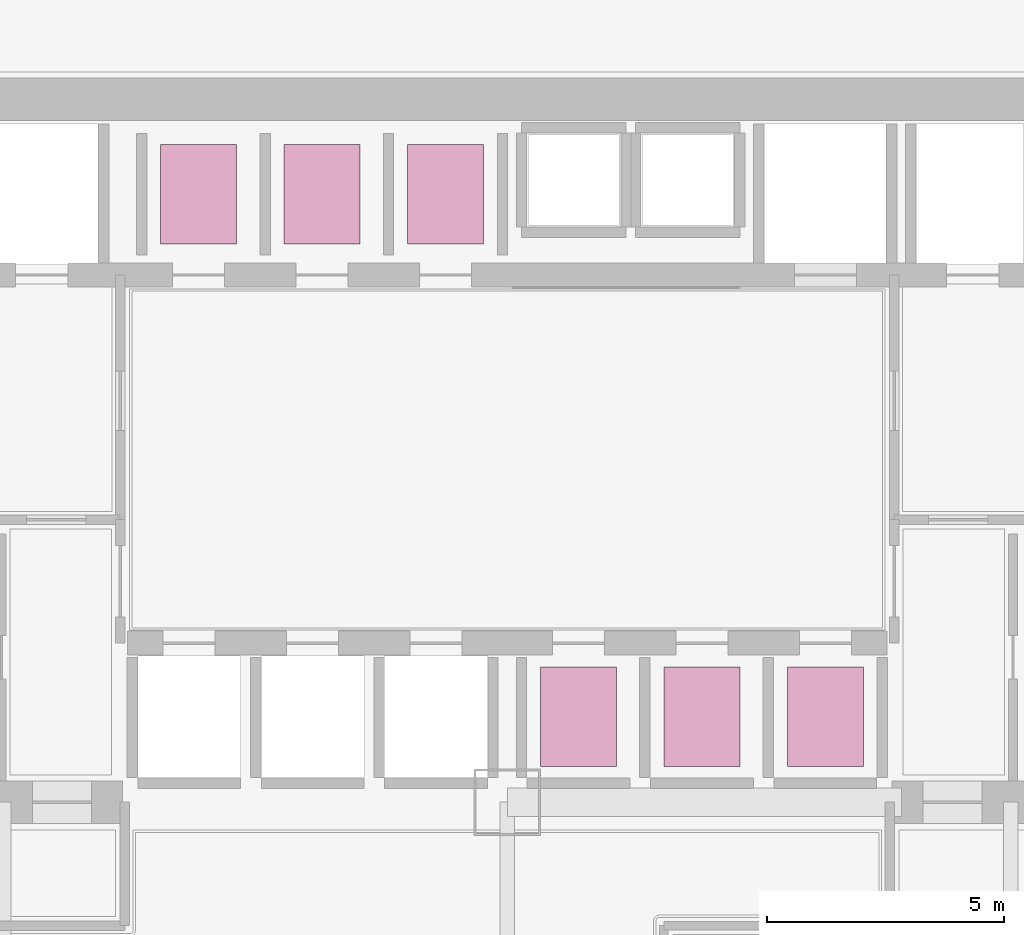
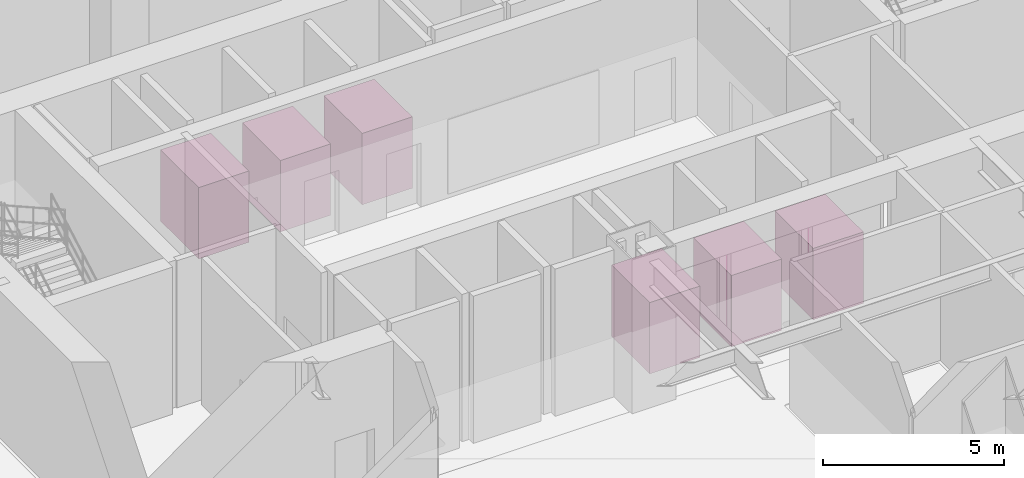
# One storey, part 18 of 18: 6 transport elements.
"""IFC4 building model written with IfcOpenShell, lengths in metres."""

from ifc_helpers import new_model, si_unit, direction, frame, origin, origin_2d, place, context, subcontext, project, spatial, rectangle, extrude, source, transform, mapped, material, type_object, element, save


model = new_model("IFC4")

# Units and contexts
model_context = context("Model", 3, precision=1e-05, world=origin(), true_north=direction((0.0, 1.0)))
body_context = subcontext(model_context, "Body", "Model", "MODEL_VIEW")
ifc_project = project(units=[si_unit("LENGTHUNIT", "METRE"), si_unit("AREAUNIT", "SQUARE_METRE"), si_unit("VOLUMEUNIT", "CUBIC_METRE"), si_unit("PLANEANGLEUNIT", "RADIAN"), si_unit("MASSUNIT", "GRAM", prefix="KILO")], contexts=[model_context])

# Site, building, storey
site_placement = place(None, origin())
site = spatial("IfcSite", under=ifc_project, at=site_placement, CompositionType="ELEMENT")
building_placement = place(site_placement, origin())
building = spatial("IfcBuilding", under=site, at=building_placement, Name="Qianlan Lanfeng Residences", CompositionType="ELEMENT")
storey_placement = place(building_placement, origin())
storey = spatial("IfcBuildingStorey", under=building, at=storey_placement, Name="L00", CompositionType="ELEMENT", Elevation=0.0)

# Transport elements
ifc_material = material(Name="Brushed Stainless Steel Lift Car", Category="steel")
transport_element_type_1 = type_object("IfcTransportElementType", Name="LFT-PS-1350", PredefinedType="ELEVATOR", material=ifc_material)
shared_shape = source(origin(), body_context, "Body", "SweptSolid", [
    extrude(rectangle(XDim=1.60009765625, YDim=2.10009765625, at=origin_2d()), origin(), (0.0, 0.0, 1.0), 2.39990234375),
])
for number, where, z_axis, x_axis, name in (
    (1, (28.0, 27.0, 0.0), (0.0, 0.0, 1.0), (1.0, 0.0, 0.0), "Elevator PL-M1 Car"),
    (2, (30.60009765625, 27.0, 0.0), (0.0, 0.0, 1.0), (1.0, 0.0, 0.0), "Elevator PL-M2 Car"),
    (3, (33.199951171875, 27.0, 0.0), (0.0, 0.0, 1.0), (1.0, 0.0, 0.0), "Elevator PL-M3 Car"),
):
    element("IfcTransportElement", number, at=place(storey_placement, frame(where, z_axis=z_axis, x_axis=x_axis)), inside=storey, type_object=transport_element_type_1, Name=name, PredefinedType="ELEVATOR", context=body_context, shape_type="MappedRepresentation", body=[
        mapped(shared_shape, transform((0.0, 0.0, 0.0), scale=1.0)),
    ])
transport_element_type_2 = type_object("IfcTransportElementType", Name="LFT-PS-1600", PredefinedType="ELEVATOR", material=ifc_material)
for number, where, z_axis, x_axis, name in (
    (4, (20.0, 38.0, 0.0), (0.0, 0.0, 1.0), (1.0, 0.0, 0.0), "Elevator PL-H1 Car"),
    (5, (22.60009765625, 38.0, 0.0), (0.0, 0.0, 1.0), (1.0, 0.0, 0.0), "Elevator PL-H2 Car"),
    (6, (25.199951171875, 38.0, 0.0), (0.0, 0.0, 1.0), (1.0, 0.0, 0.0), "Elevator PL-H3 Car"),
):
    element("IfcTransportElement", number, at=place(storey_placement, frame(where, z_axis=z_axis, x_axis=x_axis)), inside=storey, type_object=transport_element_type_2, Name=name, PredefinedType="ELEVATOR", context=body_context, shape_type="MappedRepresentation", body=[
        mapped(shared_shape, transform((0.0, 0.0, 0.0), scale=1.0)),
    ])

save(model, "model.ifc")
